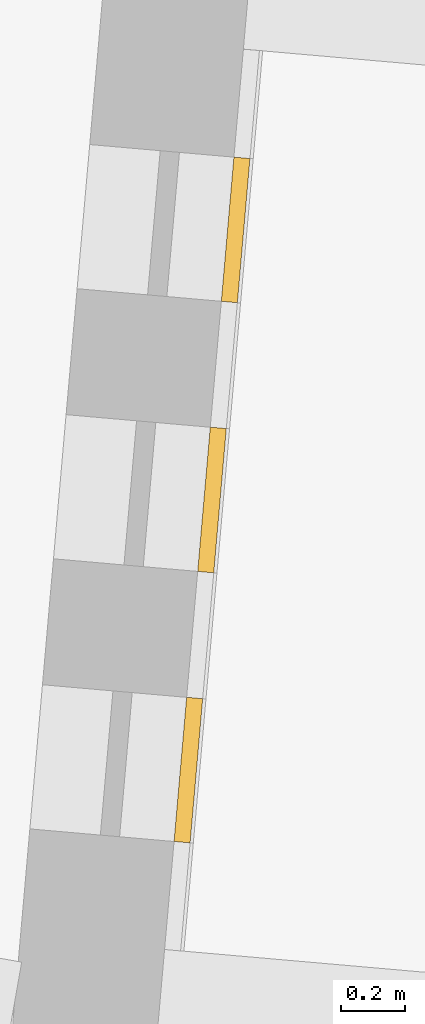
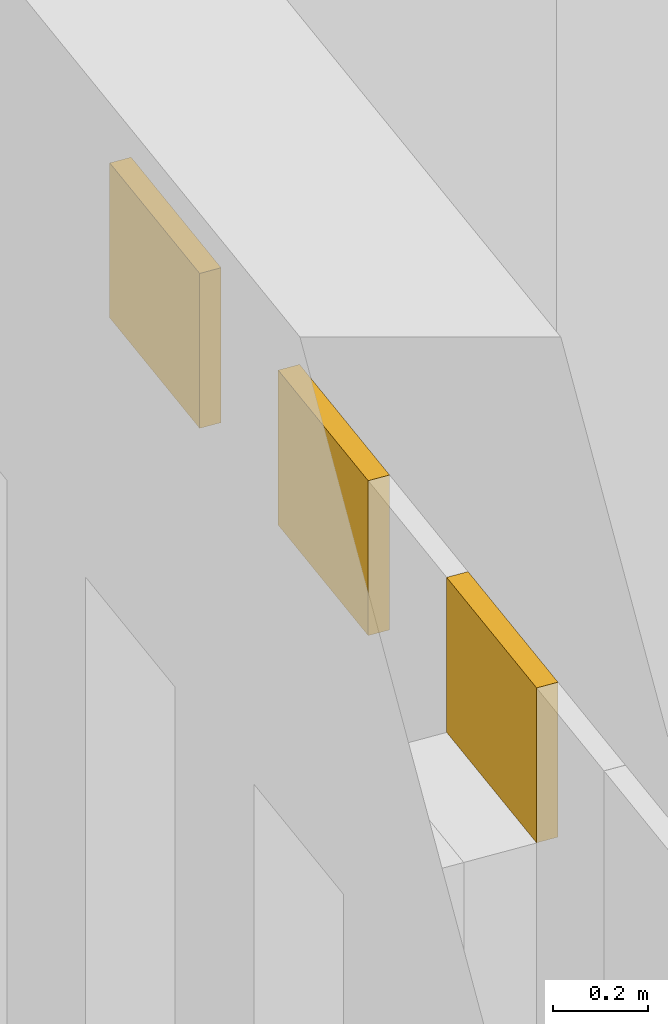
# One storey, part 84 of 85: 3 coverings.
"""IFC4 building model written with IfcOpenShell, lengths in metres."""

import ifcopenshell
import ifcopenshell.guid

model = None  # the IFC model being written
_history = None  # IfcOwnerHistory: only IFC2X3 demands one
_inside = {}  # id of a spatial element -> (the spatial element, [elements in it])
_under = {}  # id of a project, library or spatial element -> (it, [spatial elements below it])
_declared = {}  # id of a project -> (the project, [libraries it declares])
_typed = {}  # id of a type object -> (the type object, [elements of that type])
_made_of = {}  # id of a material, layer set ... -> (it, [elements and type objects made of it])


def new_model(schema):
    """Start an empty IFC model of exactly this schema.

    Asked for "IFC4X3", IfcOpenShell would pick the latest addendum, in which some entities
    have other attributes; the version numbers below select the first issue.
    IFC2X3 requires an IfcOwnerHistory on every rooted entity: one is made here for all.
    """
    global model, _history
    if schema == "IFC4X3":
        model = ifcopenshell.file(schema_version=(4, 3, 0, 0))
    else:
        model = ifcopenshell.file(schema=schema)
    _inside.clear()
    _under.clear()
    _declared.clear()
    _typed.clear()
    _made_of.clear()
    _history = None
    if model.schema == "IFC2X3":
        org = make("IfcOrganization", Name="unknown")
        user = make(
            "IfcPersonAndOrganization",
            ThePerson=make("IfcPerson", FamilyName="unknown"),
            TheOrganization=org,
        )
        app = make(
            "IfcApplication",
            ApplicationDeveloper=org,
            Version="unknown",
            ApplicationFullName="unknown",
            ApplicationIdentifier="unknown",
        )
        _history = make(
            "IfcOwnerHistory",
            OwningUser=user,
            OwningApplication=app,
            ChangeAction="ADDED",
            CreationDate=0,
        )
    return model


def make(cls, **values):
    """One entity of the class cls with the attributes given. An attribute that is None is left unset."""
    return model.create_entity(
        cls, **{name: value for name, value in values.items() if value is not None}
    )


def rooted(cls, **values):
    """An entity with a GlobalId (a new one), such as an element, a storey or a relation."""
    return make(cls, GlobalId=ifcopenshell.guid.new(), OwnerHistory=_history, **values)


def si_unit(unit_type, name, prefix=None):
    """IfcSIUnit, for example si_unit("LENGTHUNIT", "METRE", prefix="MILLI")."""
    return make("IfcSIUnit", UnitType=unit_type, Prefix=prefix, Name=name)


def assignment(units):
    """IfcUnitAssignment: the units of a project."""
    return None if units is None else make("IfcUnitAssignment", Units=units)


def point(xyz):
    """IfcCartesianPoint."""
    return None if xyz is None else make("IfcCartesianPoint", Coordinates=xyz)


def direction(xyz):
    """IfcDirection."""
    return None if xyz is None else make("IfcDirection", DirectionRatios=xyz)


def frame(location, z_axis=None, x_axis=None):
    """IfcAxis2Placement3D, a coordinate frame: its origin and axes. An axis left out is left unset."""
    return make(
        "IfcAxis2Placement3D",
        Location=point(location),
        Axis=direction(z_axis),
        RefDirection=direction(x_axis),
    )


def origin():
    """The frame at (0, 0, 0) with its axes left unset."""
    return frame((0.0, 0.0, 0.0))


def place(relative_to, where):
    """IfcLocalPlacement: puts the frame where relative to a parent placement (None: the world)."""
    return make(
        "IfcLocalPlacement", PlacementRelTo=relative_to, RelativePlacement=where
    )


def context(
    kind, dimensions, precision=None, world=None, true_north=None, identifier=None
):
    """IfcGeometricRepresentationContext, for example the 3D "Model" context."""
    return make(
        "IfcGeometricRepresentationContext",
        ContextIdentifier=identifier,
        ContextType=kind,
        CoordinateSpaceDimension=dimensions,
        Precision=precision,
        WorldCoordinateSystem=world,
        TrueNorth=true_north,
    )


def subcontext(parent, identifier, kind, view, scale=None):
    """IfcGeometricRepresentationSubContext, for example "Body" below "Model"."""
    return make(
        "IfcGeometricRepresentationSubContext",
        ContextIdentifier=identifier,
        ContextType=kind,
        ParentContext=parent,
        TargetScale=scale,
        TargetView=view,
    )


def project(units=None, contexts=None):
    """IfcProject with its units and contexts."""
    return rooted(
        "IfcProject",
        Name="project",
        RepresentationContexts=contexts,
        UnitsInContext=assignment(units),
    )


def spatial(cls, under=None, at=None, **own):
    """A site, building, storey or space (cls), placed at a placement, below another one or the project."""
    s = rooted(cls, ObjectPlacement=at, **own)
    if under is not None:
        _under.setdefault(under.id(), (under, []))[1].append(s)
    return s


def polyline(points):
    """IfcPolyline through the points."""
    return make("IfcPolyline", Points=[point(p) for p in points])


def outline(outer, holes=None, kind="AREA"):
    """IfcArbitraryClosedProfileDef: a profile drawn as a closed curve; with holes, ...WithVoids."""
    if holes is None:
        return make("IfcArbitraryClosedProfileDef", ProfileType=kind, OuterCurve=outer)
    return make(
        "IfcArbitraryProfileDefWithVoids",
        ProfileType=kind,
        OuterCurve=outer,
        InnerCurves=holes,
    )


def extrude(swept, where, along, depth):
    """IfcExtrudedAreaSolid: the profile swept, set in the frame where, extruded along a direction by depth."""
    return make(
        "IfcExtrudedAreaSolid",
        SweptArea=swept,
        Position=where,
        ExtrudedDirection=direction(along),
        Depth=depth,
    )


def shape(context_of_items, identifier, shape_type, items):
    """IfcShapeRepresentation: the items that make up one representation, for example the "Body"."""
    return make(
        "IfcShapeRepresentation",
        ContextOfItems=context_of_items,
        RepresentationIdentifier=identifier,
        RepresentationType=shape_type,
        Items=items,
    )


def material(Name=None, Category=None):
    """IfcMaterial."""
    return make("IfcMaterial", Name=Name, Category=Category)


def layer(
    of_material, thickness, ventilated=None, Name=None, Category=None, Priority=None
):
    """IfcMaterialLayer: one layer of a wall or slab, of a material (None: an air gap)."""
    return make(
        "IfcMaterialLayer",
        Material=of_material,
        LayerThickness=thickness,
        IsVentilated=ventilated,
        Name=Name,
        Category=Category,
        Priority=Priority,
    )


def layer_set(layers, Name=None):
    """IfcMaterialLayerSet."""
    return make("IfcMaterialLayerSet", MaterialLayers=layers, LayerSetName=Name)


def made_of(thing, what):
    """Note that an element or type object is made of a material, layer set ...; save() writes the relation."""
    if what is not None:
        _made_of.setdefault(what.id(), (what, []))[1].append(thing)
    return thing


def type_object(cls, material=None, **own):
    """A type object (cls), such as IfcWallType, which elements share."""
    return made_of(rooted(cls, **own), material)


def element(
    cls,
    number,
    at=None,
    inside=None,
    cuts=None,
    type_object=None,
    material=None,
    context=None,
    identifier="Body",
    shape_type=None,
    held_by="IfcProductDefinitionShape",
    body=None,
    shapes=None,
    **own,
):
    """One element of the class cls, such as IfcWall. Its Tag is "e" and its number.

    at: its placement. inside: the storey or other place that contains it. cuts: it is an
    opening in that element (IfcRelVoidsElement). A single representation is given by context,
    identifier, shape_type and body (its items); several are given by shapes. held_by: the class
    of the entity that holds the representations. save() writes the other relations.
    """
    e = rooted(cls, Tag="e%d" % number, ObjectPlacement=at, **own)
    if body is not None:
        shapes = [shape(context, identifier, shape_type, body)]
    if shapes is not None:
        e.Representation = make(held_by, Representations=shapes)
    if inside is not None:
        _inside.setdefault(inside.id(), (inside, []))[1].append(e)
    if cuts is not None:
        rooted(
            "IfcRelVoidsElement", RelatingBuildingElement=cuts, RelatedOpeningElement=e
        )
    if type_object is not None:
        _typed.setdefault(type_object.id(), (type_object, []))[1].append(e)
    return made_of(e, material)


def aggregate(whole, parts):
    """IfcRelAggregates: a whole, such as a stair, and the parts it consists of."""
    return rooted("IfcRelAggregates", RelatingObject=whole, RelatedObjects=parts)


def save(model, path):
    """Write the relations noted so far, then the file.

    IfcRelAggregates (storeys below a building ...), IfcRelContainedInSpatialStructure (elements
    in a storey), IfcRelDefinesByType, IfcRelAssociatesMaterial and IfcRelDeclares: one each for
    every whole, place, type object, material and project.
    """
    for whole, parts in _under.values():
        aggregate(whole, parts)
    for where, things in _inside.values():
        rooted(
            "IfcRelContainedInSpatialStructure",
            RelatedElements=things,
            RelatingStructure=where,
        )
    for kind, things in _typed.values():
        rooted("IfcRelDefinesByType", RelatedObjects=things, RelatingType=kind)
    for what, things in _made_of.values():
        rooted("IfcRelAssociatesMaterial", RelatedObjects=things, RelatingMaterial=what)
    for by, libraries in _declared.values():
        rooted("IfcRelDeclares", RelatingContext=by, RelatedDefinitions=libraries)
    model.write(path)


model = new_model("IFC4")

# Units and contexts
model_context = context("Model", 3, precision=1e-05, world=origin(), true_north=direction((0.0, 1.0)))
body_context = subcontext(model_context, "Body", "Model", "MODEL_VIEW")
ifc_project = project(units=[si_unit("LENGTHUNIT", "METRE"), si_unit("AREAUNIT", "SQUARE_METRE"), si_unit("VOLUMEUNIT", "CUBIC_METRE"), si_unit("PLANEANGLEUNIT", "RADIAN"), si_unit("MASSUNIT", "GRAM", prefix="KILO")], contexts=[model_context])

# Site, building, storey
site_placement = place(None, origin())
site = spatial("IfcSite", under=ifc_project, at=site_placement, CompositionType="ELEMENT")
building_placement = place(site_placement, origin())
building = spatial("IfcBuilding", under=site, at=building_placement, Name="Volute Hill Aquarium", CompositionType="ELEMENT")
storey_placement = place(building_placement, origin())
storey = spatial("IfcBuildingStorey", under=building, at=storey_placement, Name="L01", CompositionType="ELEMENT", Elevation=0.0)

# Coverings
ifc_material = material(Name="Precast concrete C40/50", Category="concrete")
ifc_layer = layer(ifc_material, 0.050048828125)
ifc_layer_set = layer_set([ifc_layer], Name="End wall precast infill panel C40/50 50")
covering_type = type_object("IfcCoveringType", Name="End wall precast infill panel C40/50 50", PredefinedType="CLADDING", material=ifc_layer_set)
covering_1_placement = place(storey_placement, frame((-1.677734375, -22.044677734375, 3.300048828125), z_axis=(-0.996224282231, 0.086816930913, 0.0), x_axis=(-0.086816930913, -0.996224282231, 0.0)))
element("IfcCovering", 1, at=covering_1_placement, inside=storey, type_object=covering_type, Name="End wall panel EWP S2B L01 1", PredefinedType="CLADDING", context=body_context, shape_type="SweptSolid", body=[
    extrude(outline(polyline([(0.0, 0.0), (0.44994103787166956, 0.0), (0.44994103787166956, 0.39990234375), (0.0, 0.39990234375), (0.0, 0.0)])), origin(), (0.0, 0.0, -1.0), 0.050048828125),
])
covering_2_placement = place(storey_placement, frame((-1.751220703125, -22.88427734375, 3.300048828125), z_axis=(-0.996228368635, 0.086770026664, 0.0), x_axis=(-0.086770026664, -0.996228368635, 0.0)))
element("IfcCovering", 2, at=covering_2_placement, inside=storey, type_object=covering_type, Name="End wall panel EWP S2B L01 1", PredefinedType="CLADDING", context=body_context, shape_type="SweptSolid", body=[
    extrude(outline(polyline([(0.0, 0.0), (0.450184257189537, 0.0), (0.450184257189537, 0.39990234375), (0.0, 0.39990234375), (0.0, 0.0)])), origin(), (0.0, 0.0, -1.0), 0.050048828125),
])
covering_3_placement = place(storey_placement, frame((-1.82470703125, -23.72412109375, 3.300048828125), z_axis=(-0.996224282231, 0.086816930913, 0.0), x_axis=(-0.086816930913, -0.996224282231, 0.0)))
element("IfcCovering", 3, at=covering_3_placement, inside=storey, type_object=covering_type, Name="End wall panel EWP S2B L01 1", PredefinedType="CLADDING", context=body_context, shape_type="SweptSolid", body=[
    extrude(outline(polyline([(0.0, 0.0), (0.44994103787166956, 0.0), (0.44994103787166956, 0.39990234375), (0.0, 0.39990234375), (0.0, 0.0)])), origin(), (0.0, 0.0, -1.0), 0.050048828125),
])

save(model, "model.ifc")
